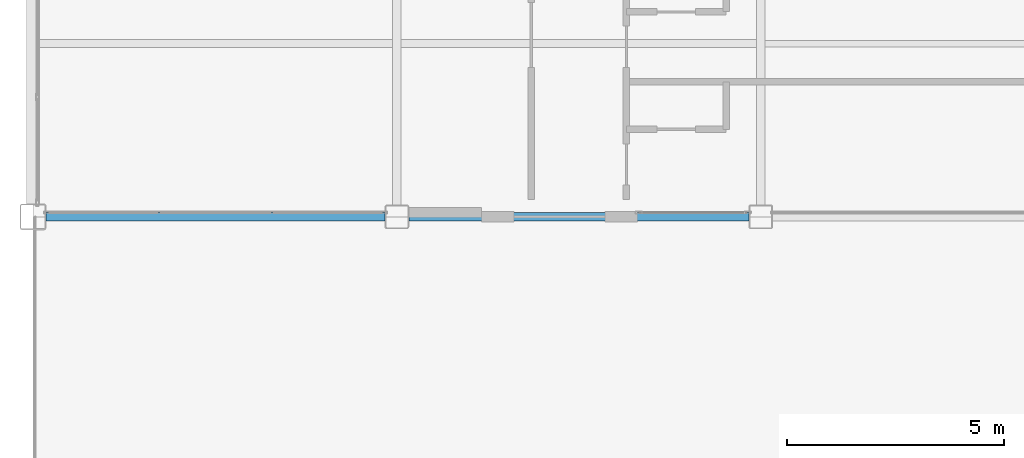
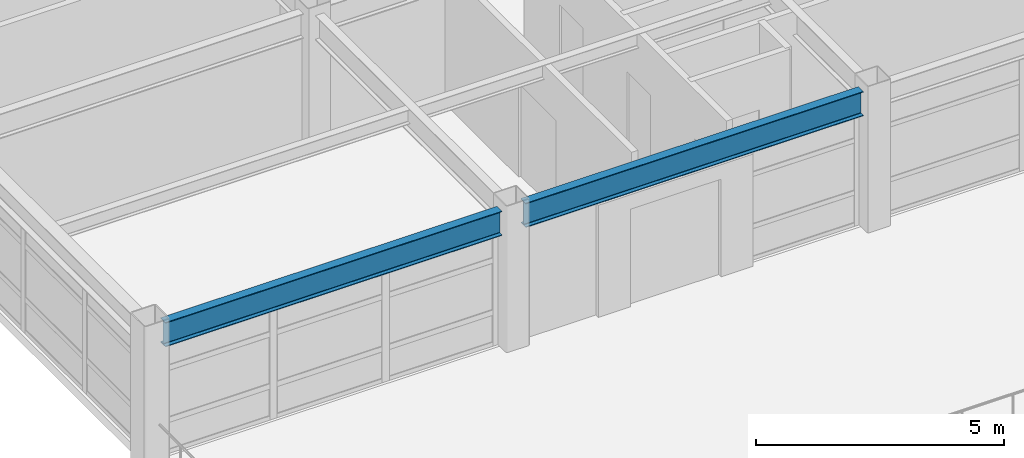
# One storey, part 3 of 36: 2 beams.
"""IFC4 building model written with IfcOpenShell, lengths in metres."""

from ifc_helpers import new_model, si_unit, direction, frame, origin, origin_2d, place, context, subcontext, project, spatial, i_section, extrude, material, material_profile, profile_set, type_object, element, save


model = new_model("IFC4")

# Units and contexts
model_context = context("Model", 3, precision=1e-05, world=origin(), true_north=direction((0.0, 1.0)))
body_context = subcontext(model_context, "Body", "Model", "MODEL_VIEW")
ifc_project = project(units=[si_unit("LENGTHUNIT", "METRE"), si_unit("AREAUNIT", "SQUARE_METRE"), si_unit("VOLUMEUNIT", "CUBIC_METRE"), si_unit("PLANEANGLEUNIT", "RADIAN"), si_unit("MASSUNIT", "GRAM", prefix="KILO")], contexts=[model_context])

# Site, building, storey
site_placement = place(None, origin())
site = spatial("IfcSite", under=ifc_project, at=site_placement, CompositionType="ELEMENT")
building_placement = place(site_placement, origin())
building = spatial("IfcBuilding", under=site, at=building_placement, Name="Kazehara Bluff Congress Hotel", CompositionType="ELEMENT")
storey_placement = place(building_placement, frame((0.0, 0.0, 31.800048828125)))
storey = spatial("IfcBuildingStorey", under=building, at=storey_placement, Name="L07", CompositionType="ELEMENT", Elevation=31.800048828125)

# Beams
ifc_material = material(Name="Steel SN490B", Category="steel")
ifc_material_profile = material_profile(ifc_material, i_section(OverallWidth=0.199951171875, OverallDepth=0.60009765625, WebThickness=0.010986328125, FlangeThickness=0.01708984375, FilletRadius=0.012939453125, at=origin_2d()))
ifc_profile_set = profile_set([ifc_material_profile], Name="Steel SN490B")
beam_type = type_object("IfcBeamType", Name="TP-G-02", PredefinedType="BEAM", material=ifc_profile_set)
beam_1_placement = place(storey_placement, frame((144.0, 8.0, 3.079833984375), z_axis=(1.0, 0.0, 0.0), x_axis=(0.0, 1.0, 0.0)))
element("IfcBeam", 1, at=beam_1_placement, inside=storey, type_object=beam_type, Name="L07 girder G-02 36", PredefinedType="BEAM", context=body_context, shape_type="SweptSolid", body=[
    extrude(i_section(OverallWidth=0.199951171875, OverallDepth=0.60009765625, WebThickness=0.010986328125, FlangeThickness=0.01708984375, FilletRadius=0.012939453125, at=origin_2d()), origin(), (0.0, 0.0, 1.0), 7.824951171875),
])
beam_2_placement = place(storey_placement, frame((152.375, 8.0, 3.079833984375), z_axis=(1.0, 0.0, 0.0), x_axis=(0.0, 1.0, 0.0)))
element("IfcBeam", 2, at=beam_2_placement, inside=storey, type_object=beam_type, Name="L07 girder G-02 37", PredefinedType="BEAM", context=body_context, shape_type="SweptSolid", body=[
    extrude(i_section(OverallWidth=0.199951171875, OverallDepth=0.60009765625, WebThickness=0.010986328125, FlangeThickness=0.01708984375, FilletRadius=0.012939453125, at=origin_2d()), origin(), (0.0, 0.0, 1.0), 7.85009765625),
])

save(model, "model.ifc")
